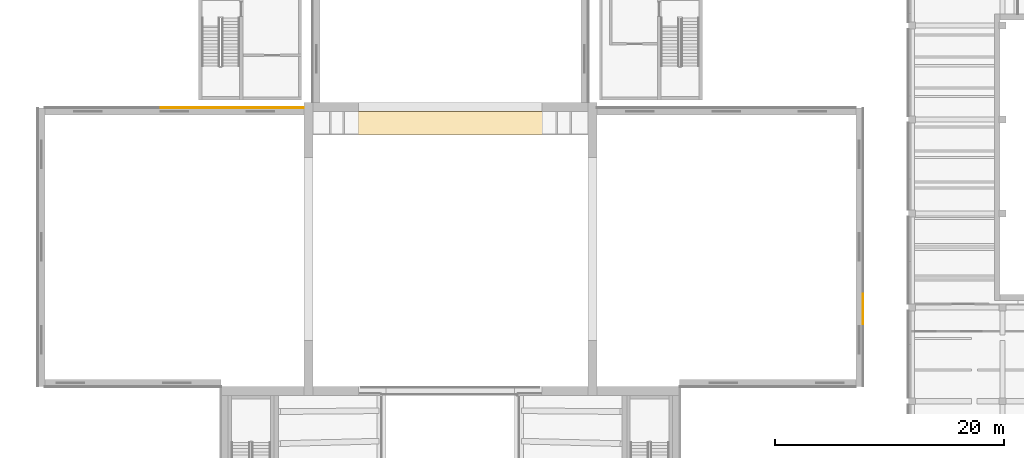
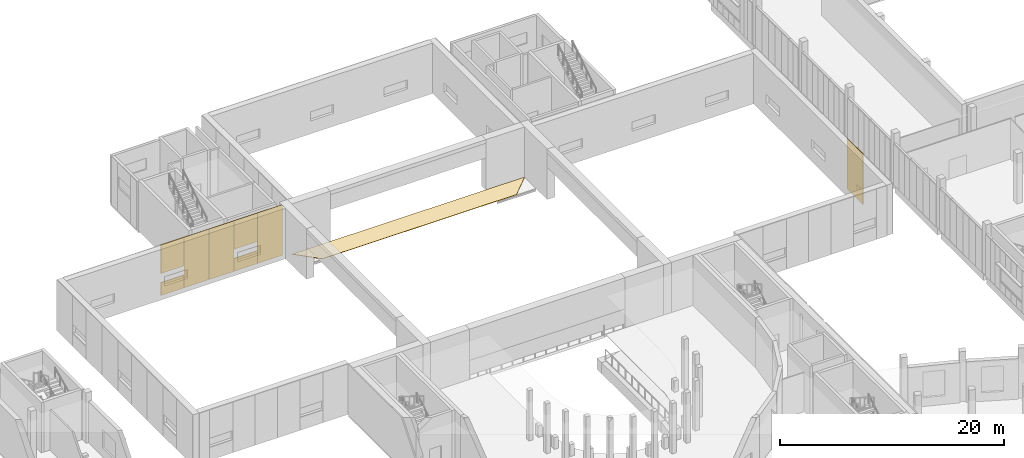
# One storey, part 71 of 87: 9 coverings.
"""IFC4 building model written with IfcOpenShell, lengths in metres."""

import ifcopenshell
import ifcopenshell.guid

model = None  # the IFC model being written
_history = None  # IfcOwnerHistory: only IFC2X3 demands one
_inside = {}  # id of a spatial element -> (the spatial element, [elements in it])
_under = {}  # id of a project, library or spatial element -> (it, [spatial elements below it])
_declared = {}  # id of a project -> (the project, [libraries it declares])
_typed = {}  # id of a type object -> (the type object, [elements of that type])
_made_of = {}  # id of a material, layer set ... -> (it, [elements and type objects made of it])


def new_model(schema):
    """Start an empty IFC model of exactly this schema.

    Asked for "IFC4X3", IfcOpenShell would pick the latest addendum, in which some entities
    have other attributes; the version numbers below select the first issue.
    IFC2X3 requires an IfcOwnerHistory on every rooted entity: one is made here for all.
    """
    global model, _history
    if schema == "IFC4X3":
        model = ifcopenshell.file(schema_version=(4, 3, 0, 0))
    else:
        model = ifcopenshell.file(schema=schema)
    _inside.clear()
    _under.clear()
    _declared.clear()
    _typed.clear()
    _made_of.clear()
    _history = None
    if model.schema == "IFC2X3":
        org = make("IfcOrganization", Name="unknown")
        user = make(
            "IfcPersonAndOrganization",
            ThePerson=make("IfcPerson", FamilyName="unknown"),
            TheOrganization=org,
        )
        app = make(
            "IfcApplication",
            ApplicationDeveloper=org,
            Version="unknown",
            ApplicationFullName="unknown",
            ApplicationIdentifier="unknown",
        )
        _history = make(
            "IfcOwnerHistory",
            OwningUser=user,
            OwningApplication=app,
            ChangeAction="ADDED",
            CreationDate=0,
        )
    return model


def make(cls, **values):
    """One entity of the class cls with the attributes given. An attribute that is None is left unset."""
    return model.create_entity(
        cls, **{name: value for name, value in values.items() if value is not None}
    )


def rooted(cls, **values):
    """An entity with a GlobalId (a new one), such as an element, a storey or a relation."""
    return make(cls, GlobalId=ifcopenshell.guid.new(), OwnerHistory=_history, **values)


def si_unit(unit_type, name, prefix=None):
    """IfcSIUnit, for example si_unit("LENGTHUNIT", "METRE", prefix="MILLI")."""
    return make("IfcSIUnit", UnitType=unit_type, Prefix=prefix, Name=name)


def assignment(units):
    """IfcUnitAssignment: the units of a project."""
    return None if units is None else make("IfcUnitAssignment", Units=units)


def point(xyz):
    """IfcCartesianPoint."""
    return None if xyz is None else make("IfcCartesianPoint", Coordinates=xyz)


def direction(xyz):
    """IfcDirection."""
    return None if xyz is None else make("IfcDirection", DirectionRatios=xyz)


def frame(location, z_axis=None, x_axis=None):
    """IfcAxis2Placement3D, a coordinate frame: its origin and axes. An axis left out is left unset."""
    return make(
        "IfcAxis2Placement3D",
        Location=point(location),
        Axis=direction(z_axis),
        RefDirection=direction(x_axis),
    )


def frame_2d(location, x_axis=None):
    """IfcAxis2Placement2D, a coordinate frame in the plane: its origin and x axis."""
    return make(
        "IfcAxis2Placement2D", Location=point(location), RefDirection=direction(x_axis)
    )


def origin():
    """The frame at (0, 0, 0) with its axes left unset."""
    return frame((0.0, 0.0, 0.0))


def origin_2d():
    """The frame at (0, 0) in the plane with its x axis left unset."""
    return frame_2d((0.0, 0.0))


def place(relative_to, where):
    """IfcLocalPlacement: puts the frame where relative to a parent placement (None: the world)."""
    return make(
        "IfcLocalPlacement", PlacementRelTo=relative_to, RelativePlacement=where
    )


def context(
    kind, dimensions, precision=None, world=None, true_north=None, identifier=None
):
    """IfcGeometricRepresentationContext, for example the 3D "Model" context."""
    return make(
        "IfcGeometricRepresentationContext",
        ContextIdentifier=identifier,
        ContextType=kind,
        CoordinateSpaceDimension=dimensions,
        Precision=precision,
        WorldCoordinateSystem=world,
        TrueNorth=true_north,
    )


def subcontext(parent, identifier, kind, view, scale=None):
    """IfcGeometricRepresentationSubContext, for example "Body" below "Model"."""
    return make(
        "IfcGeometricRepresentationSubContext",
        ContextIdentifier=identifier,
        ContextType=kind,
        ParentContext=parent,
        TargetScale=scale,
        TargetView=view,
    )


def project(units=None, contexts=None):
    """IfcProject with its units and contexts."""
    return rooted(
        "IfcProject",
        Name="project",
        RepresentationContexts=contexts,
        UnitsInContext=assignment(units),
    )


def spatial(cls, under=None, at=None, **own):
    """A site, building, storey or space (cls), placed at a placement, below another one or the project."""
    s = rooted(cls, ObjectPlacement=at, **own)
    if under is not None:
        _under.setdefault(under.id(), (under, []))[1].append(s)
    return s


def polyline(points):
    """IfcPolyline through the points."""
    return make("IfcPolyline", Points=[point(p) for p in points])


def profile(cls, at=None, kind="AREA", **sizes):
    """A parametric profile (cls). Its sizes go by their IFC names, for example OverallWidth=200.0."""
    return make(cls, ProfileType=kind, Position=at, **sizes)


def rectangle(**sizes):
    """IfcRectangleProfileDef."""
    return profile("IfcRectangleProfileDef", **sizes)


def outline(outer, holes=None, kind="AREA"):
    """IfcArbitraryClosedProfileDef: a profile drawn as a closed curve; with holes, ...WithVoids."""
    if holes is None:
        return make("IfcArbitraryClosedProfileDef", ProfileType=kind, OuterCurve=outer)
    return make(
        "IfcArbitraryProfileDefWithVoids",
        ProfileType=kind,
        OuterCurve=outer,
        InnerCurves=holes,
    )


def extrude(swept, where, along, depth):
    """IfcExtrudedAreaSolid: the profile swept, set in the frame where, extruded along a direction by depth."""
    return make(
        "IfcExtrudedAreaSolid",
        SweptArea=swept,
        Position=where,
        ExtrudedDirection=direction(along),
        Depth=depth,
    )


def shape(context_of_items, identifier, shape_type, items):
    """IfcShapeRepresentation: the items that make up one representation, for example the "Body"."""
    return make(
        "IfcShapeRepresentation",
        ContextOfItems=context_of_items,
        RepresentationIdentifier=identifier,
        RepresentationType=shape_type,
        Items=items,
    )


def material(Name=None, Category=None):
    """IfcMaterial."""
    return make("IfcMaterial", Name=Name, Category=Category)


def layer(
    of_material, thickness, ventilated=None, Name=None, Category=None, Priority=None
):
    """IfcMaterialLayer: one layer of a wall or slab, of a material (None: an air gap)."""
    return make(
        "IfcMaterialLayer",
        Material=of_material,
        LayerThickness=thickness,
        IsVentilated=ventilated,
        Name=Name,
        Category=Category,
        Priority=Priority,
    )


def layer_set(layers, Name=None):
    """IfcMaterialLayerSet."""
    return make("IfcMaterialLayerSet", MaterialLayers=layers, LayerSetName=Name)


def made_of(thing, what):
    """Note that an element or type object is made of a material, layer set ...; save() writes the relation."""
    if what is not None:
        _made_of.setdefault(what.id(), (what, []))[1].append(thing)
    return thing


def type_object(cls, material=None, **own):
    """A type object (cls), such as IfcWallType, which elements share."""
    return made_of(rooted(cls, **own), material)


def element(
    cls,
    number,
    at=None,
    inside=None,
    cuts=None,
    type_object=None,
    material=None,
    context=None,
    identifier="Body",
    shape_type=None,
    held_by="IfcProductDefinitionShape",
    body=None,
    shapes=None,
    **own,
):
    """One element of the class cls, such as IfcWall. Its Tag is "e" and its number.

    at: its placement. inside: the storey or other place that contains it. cuts: it is an
    opening in that element (IfcRelVoidsElement). A single representation is given by context,
    identifier, shape_type and body (its items); several are given by shapes. held_by: the class
    of the entity that holds the representations. save() writes the other relations.
    """
    e = rooted(cls, Tag="e%d" % number, ObjectPlacement=at, **own)
    if body is not None:
        shapes = [shape(context, identifier, shape_type, body)]
    if shapes is not None:
        e.Representation = make(held_by, Representations=shapes)
    if inside is not None:
        _inside.setdefault(inside.id(), (inside, []))[1].append(e)
    if cuts is not None:
        rooted(
            "IfcRelVoidsElement", RelatingBuildingElement=cuts, RelatedOpeningElement=e
        )
    if type_object is not None:
        _typed.setdefault(type_object.id(), (type_object, []))[1].append(e)
    return made_of(e, material)


def aggregate(whole, parts):
    """IfcRelAggregates: a whole, such as a stair, and the parts it consists of."""
    return rooted("IfcRelAggregates", RelatingObject=whole, RelatedObjects=parts)


def save(model, path):
    """Write the relations noted so far, then the file.

    IfcRelAggregates (storeys below a building ...), IfcRelContainedInSpatialStructure (elements
    in a storey), IfcRelDefinesByType, IfcRelAssociatesMaterial and IfcRelDeclares: one each for
    every whole, place, type object, material and project.
    """
    for whole, parts in _under.values():
        aggregate(whole, parts)
    for where, things in _inside.values():
        rooted(
            "IfcRelContainedInSpatialStructure",
            RelatedElements=things,
            RelatingStructure=where,
        )
    for kind, things in _typed.values():
        rooted("IfcRelDefinesByType", RelatedObjects=things, RelatingType=kind)
    for what, things in _made_of.values():
        rooted("IfcRelAssociatesMaterial", RelatedObjects=things, RelatingMaterial=what)
    for by, libraries in _declared.values():
        rooted("IfcRelDeclares", RelatingContext=by, RelatedDefinitions=libraries)
    model.write(path)


model = new_model("IFC4")

# Units and contexts
model_context = context("Model", 3, precision=1e-05, world=origin(), true_north=direction((0.0, 1.0)))
body_context = subcontext(model_context, "Body", "Model", "MODEL_VIEW")
ifc_project = project(units=[si_unit("LENGTHUNIT", "METRE"), si_unit("AREAUNIT", "SQUARE_METRE"), si_unit("VOLUMEUNIT", "CUBIC_METRE"), si_unit("PLANEANGLEUNIT", "RADIAN"), si_unit("MASSUNIT", "GRAM", prefix="KILO")], contexts=[model_context])

# Site, building, storey
site_placement = place(None, origin())
site = spatial("IfcSite", under=ifc_project, at=site_placement, CompositionType="ELEMENT")
building_placement = place(site_placement, origin())
building = spatial("IfcBuilding", under=site, at=building_placement, Name="Lunette Opera House", CompositionType="ELEMENT")
storey_placement = place(building_placement, frame((0.0, 0.0, 11.5)))
storey = spatial("IfcBuildingStorey", under=building, at=storey_placement, Name="L02", CompositionType="ELEMENT", Elevation=11.5)

# Coverings
ifc_material_1 = material(Name="Aluminium standing seam cladding", Category="aluminium")
ifc_layer_1 = layer(ifc_material_1, 0.06005859375)
ifc_layer_set_1 = layer_set([ifc_layer_1], Name="Aluminium standing seam cladding")
covering_type_1 = type_object("IfcCoveringType", Name="STANDING SEAM CLADDING 60", PredefinedType="CLADDING", material=ifc_layer_set_1)
covering_1_placement = place(storey_placement, frame((71.89990234375, 120.330078125, 0.0), z_axis=(0.0, 0.0, 1.0), x_axis=(1.0, 0.0, 0.0)))
element("IfcCovering", 1, at=covering_1_placement, inside=storey, type_object=covering_type_1, Name="Standing seam cladding SW-N-1 L02 30", PredefinedType="CLADDING", context=body_context, shape_type="SweptSolid", body=[
    extrude(rectangle(XDim=2.39990234375, YDim=0.06005859375, at=origin_2d()), origin(), (0.0, 0.0, 1.0), 1.39990234375),
])
covering_2_placement = place(storey_placement, frame((71.89990234375, 120.330078125, 2.39990234375), z_axis=(0.0, 0.0, 1.0), x_axis=(1.0, 0.0, 0.0)))
element("IfcCovering", 2, at=covering_2_placement, inside=storey, type_object=covering_type_1, Name="Standing seam cladding SW-N-1 L02 31", PredefinedType="CLADDING", context=body_context, shape_type="SweptSolid", body=[
    extrude(rectangle(XDim=2.39990234375, YDim=0.06005859375, at=origin_2d()), origin(), (0.0, 0.0, 1.0), 3.10009765625),
])
for number, where, z_axis, x_axis, name in (
    (3, (74.383056640625, 120.330078125, 0.0), (0.0, 0.0, 1.0), (1.0, 0.0, 0.0), "Standing seam cladding SW-N-1 L02 40"),
    (4, (76.949951171875, 120.330078125, 0.0), (0.0, 0.0, 1.0), (1.0, 0.0, 0.0), "Standing seam cladding SW-N-1 L02 41"),
):
    element("IfcCovering", number, at=place(storey_placement, frame(where, z_axis=z_axis, x_axis=x_axis)), inside=storey, type_object=covering_type_1, Name=name, PredefinedType="CLADDING", context=body_context, shape_type="SweptSolid", body=[
        extrude(rectangle(XDim=2.56689453125, YDim=0.06005859375, at=origin_2d()), origin(), (0.0, 0.0, 1.0), 5.5),
    ])
covering_3_placement = place(storey_placement, frame((79.43310546875, 120.330078125, 0.0), z_axis=(0.0, 0.0, 1.0), x_axis=(1.0, 0.0, 0.0)))
element("IfcCovering", 5, at=covering_3_placement, inside=storey, type_object=covering_type_1, Name="Standing seam cladding SW-N-1 L02 50", PredefinedType="CLADDING", context=body_context, shape_type="SweptSolid", body=[
    extrude(rectangle(XDim=2.39990234375, YDim=0.06005859375, at=origin_2d()), origin(), (0.0, 0.0, 1.0), 1.39990234375),
])
covering_4_placement = place(storey_placement, frame((79.43310546875, 120.330078125, 2.39990234375), z_axis=(0.0, 0.0, 1.0), x_axis=(1.0, 0.0, 0.0)))
element("IfcCovering", 6, at=covering_4_placement, inside=storey, type_object=covering_type_1, Name="Standing seam cladding SW-N-1 L02 51", PredefinedType="CLADDING", context=body_context, shape_type="SweptSolid", body=[
    extrude(rectangle(XDim=2.39990234375, YDim=0.06005859375, at=origin_2d()), origin(), (0.0, 0.0, 1.0), 3.10009765625),
])
covering_5_placement = place(storey_placement, frame((81.9169921875, 120.330078125, 0.0), z_axis=(0.0, 0.0, 1.0), x_axis=(1.0, 0.0, 0.0)))
element("IfcCovering", 7, at=covering_5_placement, inside=storey, type_object=covering_type_1, Name="Standing seam cladding SW-N-1 L02 60", PredefinedType="CLADDING", context=body_context, shape_type="SweptSolid", body=[
    extrude(rectangle(XDim=2.56689453125, YDim=0.06005859375, at=origin_2d()), origin(), (0.0, 0.0, 1.0), 5.5),
])
covering_6_placement = place(storey_placement, frame((132.030029296875, 102.675048828125, 0.0), z_axis=(0.0, 0.0, 1.0), x_axis=(0.0, 1.0, 0.0)))
element("IfcCovering", 8, at=covering_6_placement, inside=storey, type_object=covering_type_1, Name="Standing seam cladding SE-E-1 L02 20", PredefinedType="CLADDING", context=body_context, shape_type="SweptSolid", body=[
    extrude(rectangle(XDim=2.85009765625, YDim=0.06005859375, at=origin_2d()), origin(), (0.0, 0.0, 1.0), 5.5),
])
ifc_material_2 = material(Name="Timber", Category="wood")
ifc_layer_2 = layer(ifc_material_2, 0.0400390625)
ifc_layer_set_2 = layer_set([ifc_layer_2], Name="Timber")
covering_type_2 = type_object("IfcCoveringType", Name="TIMBER FLOOR FINISH 40", PredefinedType="FLOORING", material=ifc_layer_set_2)
covering_7_placement = place(storey_placement, origin())
element("IfcCovering", 9, at=covering_7_placement, inside=storey, type_object=covering_type_2, Name="Floor finish Fly Gallery 11.5 North", PredefinedType="FLOORING", context=body_context, shape_type="SweptSolid", body=[
    extrude(outline(polyline([(106.0, 118.0), (86.0, 118.0), (84.0, 120.0), (108.0, 120.0), (106.0, 118.0)])), origin(), (0.0, 0.0, 1.0), 0.0400390625),
])

save(model, "model.ifc")
